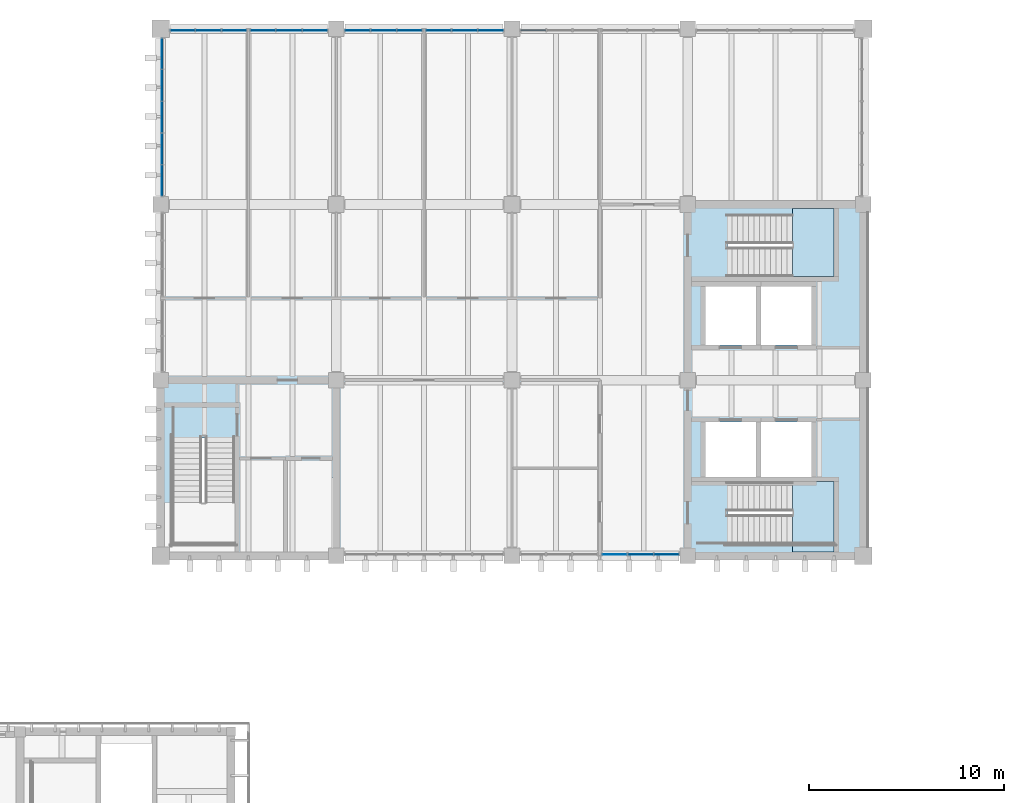
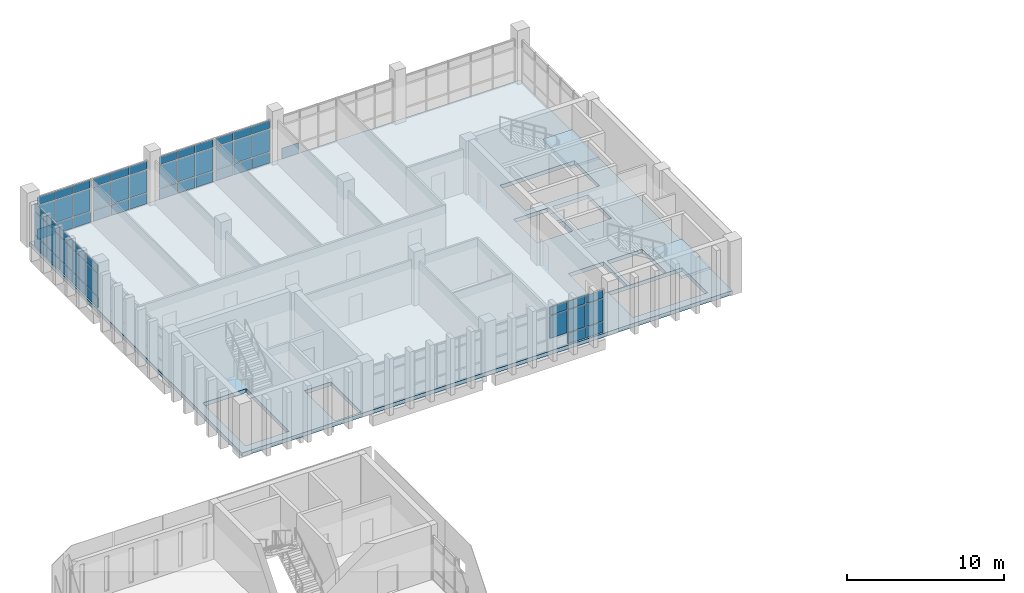
# One storey, part 27 of 50: 60 plates, 3 slabs, 9 elements without a shape of their own.
"""IFC4 building model written with IfcOpenShell, lengths in metres."""

from ifc_helpers import new_model, si_unit, direction, frame, origin, origin_2d, place, context, subcontext, project, spatial, polyline, rectangle, outline, extrude, material, layer, layer_set, type_object, element, aggregate, save


model = new_model("IFC4")

# Units and contexts
model_context = context("Model", 3, precision=1e-05, world=origin(), true_north=direction((0.0, 1.0)))
body_context = subcontext(model_context, "Body", "Model", "MODEL_VIEW")
ifc_project = project(units=[si_unit("LENGTHUNIT", "METRE"), si_unit("AREAUNIT", "SQUARE_METRE"), si_unit("VOLUMEUNIT", "CUBIC_METRE"), si_unit("PLANEANGLEUNIT", "RADIAN"), si_unit("MASSUNIT", "GRAM", prefix="KILO")], contexts=[model_context])

# Site, building, storey
site_placement = place(None, origin())
site = spatial("IfcSite", under=ifc_project, at=site_placement, CompositionType="ELEMENT")
building_placement = place(site_placement, origin())
building = spatial("IfcBuilding", under=site, at=building_placement, Name="Merrow Basin Faculty of Sciences", CompositionType="ELEMENT")
storey_placement = place(building_placement, frame((0.0, 0.0, 18.0)))
storey = spatial("IfcBuildingStorey", under=building, at=storey_placement, Name="L04", CompositionType="ELEMENT", Elevation=18.0)

# Slab
ifc_material_1 = material(Name="Concrete C40/50", Category="concrete")
ifc_layer_1 = layer(ifc_material_1, 0.300048828125)
ifc_layer_set_1 = layer_set([ifc_layer_1], Name="Floor slab 300 Concrete C40/50")
slab_type_1 = type_object("IfcSlabType", Name="Floor slab 300 Concrete C40/50", PredefinedType="FLOOR", material=ifc_layer_set_1)
slab_1_placement = place(storey_placement, frame((0.0, 0.0, -0.300048828125)))
element("IfcSlab", 1, at=slab_1_placement, inside=storey, type_object=slab_type_1, Name="SL11 floor L04 001", PredefinedType="FLOOR", context=body_context, shape_type="SweptSolid", body=[
    extrude(outline(polyline([(18.0, 169.0), (54.0, 169.0), (54.0, 142.0), (18.0, 142.0), (18.0, 169.0)]), holes=[polyline([(47.050048828125, 142.60009765625), (52.5, 142.60009765625), (52.5, 145.800048828125), (47.050048828125, 145.800048828125), (47.050048828125, 142.60009765625)]), polyline([(47.050048828125, 156.300048828125), (52.5, 156.300048828125), (52.5, 159.5), (47.050048828125, 159.5), (47.050048828125, 156.300048828125)]), polyline([(48.75, 145.85009765625), (51.35009765625, 145.85009765625), (51.35009765625, 148.85009765625), (48.75, 148.85009765625), (48.75, 145.85009765625)]), polyline([(48.75, 152.800048828125), (51.35009765625, 152.800048828125), (51.35009765625, 155.800048828125), (48.75, 155.800048828125), (48.75, 152.800048828125)]), polyline([(45.89990234375, 145.85009765625), (48.5, 145.85009765625), (48.5, 148.85009765625), (45.89990234375, 148.85009765625), (45.89990234375, 145.85009765625)]), polyline([(45.89990234375, 152.800048828125), (48.5, 152.800048828125), (48.5, 155.800048828125), (45.89990234375, 155.800048828125), (45.89990234375, 152.800048828125)]), polyline([(24.90087890625, 142.14990234375), (26.85009765625, 142.14990234375), (26.85009765625, 146.0), (24.90087890625, 146.0), (24.90087890625, 142.14990234375)]), polyline([(18.60009765625, 142.60009765625), (21.800048828125, 142.60009765625), (21.800048828125, 148.050048828125), (18.60009765625, 148.050048828125), (18.60009765625, 142.60009765625)])]), origin(), (0.0, 0.0, 1.0), 0.300048828125),
])

# Curtain wall, plates
ifc_material_2 = material(Name="Aluminium alloy 6063", Category="aluminium")
curtain_wall_type = type_object("IfcCurtainWallType", Name="Unitised curtain wall 160", PredefinedType="NOTDEFINED", material=ifc_material_2)
curtain_wall_1_placement = place(storey_placement, origin())
curtain_wall_1 = element("IfcCurtainWall", 2, at=curtain_wall_1_placement, inside=storey, type_object=curtain_wall_type, Name="W curtain wall L04 3", PredefinedType="NOTDEFINED")
ifc_material_3 = material(Name="Insulated aluminium spandrel panel", Category="aluminium")
ifc_layer_2 = layer(ifc_material_3, 0.052001953125)
ifc_layer_set_2 = layer_set([ifc_layer_2], Name="Insulated spandrel panel 52")
plate_type_1 = type_object("IfcPlateType", Name="Insulated spandrel panel 52", PredefinedType="CURTAIN_PANEL", material=ifc_layer_set_2)
plate_1_placement = place(storey_placement, frame((18.080078125, 161.22998046875, 0.06005859375), z_axis=(0.0, 0.0, 1.0), x_axis=(0.0, 1.0, 0.0)))
plate_1 = element("IfcPlate", 3, at=plate_1_placement, type_object=plate_type_1, Name="CW3 panel 1.1", PredefinedType="CURTAIN_PANEL", context=body_context, shape_type="SweptSolid", body=[
    extrude(rectangle(XDim=1.5400390625, YDim=0.052001953125, at=origin_2d()), origin(), (0.0, 0.0, 1.0), 0.81005859375),
])
plate_2_placement = place(storey_placement, frame((18.080078125, 162.844970703125, 0.06005859375), z_axis=(0.0, 0.0, 1.0), x_axis=(0.0, 1.0, 0.0)))
plate_2 = element("IfcPlate", 4, at=plate_2_placement, type_object=plate_type_1, Name="CW3 panel 2.1", PredefinedType="CURTAIN_PANEL", context=body_context, shape_type="SweptSolid", body=[
    extrude(rectangle(XDim=1.570068359375, YDim=0.052001953125, at=origin_2d()), origin(), (0.0, 0.0, 1.0), 0.81005859375),
])
plate_3_placement = place(storey_placement, frame((18.080078125, 164.47509765625, 0.06005859375), z_axis=(0.0, 0.0, 1.0), x_axis=(0.0, 1.0, 0.0)))
plate_3 = element("IfcPlate", 5, at=plate_3_placement, type_object=plate_type_1, Name="CW3 panel 3.1", PredefinedType="CURTAIN_PANEL", context=body_context, shape_type="SweptSolid", body=[
    extrude(rectangle(XDim=1.570068359375, YDim=0.052001953125, at=origin_2d()), origin(), (0.0, 0.0, 1.0), 0.81005859375),
])
plate_4_placement = place(storey_placement, frame((18.080078125, 166.10498046875, 0.06005859375), z_axis=(0.0, 0.0, 1.0), x_axis=(0.0, 1.0, 0.0)))
plate_4 = element("IfcPlate", 6, at=plate_4_placement, type_object=plate_type_1, Name="CW3 panel 4.1", PredefinedType="CURTAIN_PANEL", context=body_context, shape_type="SweptSolid", body=[
    extrude(rectangle(XDim=1.570068359375, YDim=0.052001953125, at=origin_2d()), origin(), (0.0, 0.0, 1.0), 0.81005859375),
])
plate_5_placement = place(storey_placement, frame((18.080078125, 167.719970703125, 0.06005859375), z_axis=(0.0, 0.0, 1.0), x_axis=(0.0, 1.0, 0.0)))
plate_5 = element("IfcPlate", 7, at=plate_5_placement, type_object=plate_type_1, Name="CW3 panel 5.1", PredefinedType="CURTAIN_PANEL", context=body_context, shape_type="SweptSolid", body=[
    extrude(rectangle(XDim=1.5400390625, YDim=0.052001953125, at=origin_2d()), origin(), (0.0, 0.0, 1.0), 0.81005859375),
])

curtain_wall_2_placement = place(storey_placement, origin())
curtain_wall_2 = element("IfcCurtainWall", 8, at=curtain_wall_2_placement, inside=storey, type_object=curtain_wall_type, Name="N curtain wall L04 1", PredefinedType="NOTDEFINED")
plate_6_placement = place(storey_placement, frame((19.131591796875, 168.919921875, 0.06005859375), z_axis=(0.0, 0.0, 1.0), x_axis=(1.0, 0.0, 0.0)))
plate_6 = element("IfcPlate", 9, at=plate_6_placement, type_object=plate_type_1, Name="CW3 panel 1.1", PredefinedType="CURTAIN_PANEL", context=body_context, shape_type="SweptSolid", body=[
    extrude(rectangle(XDim=1.243408203125, YDim=0.052001953125, at=origin_2d()), origin(), (0.0, 0.0, 1.0), 0.81005859375),
])
plate_7_placement = place(storey_placement, frame((20.449951171875, 168.919921875, 0.06005859375), z_axis=(0.0, 0.0, 1.0), x_axis=(1.0, 0.0, 0.0)))
plate_7 = element("IfcPlate", 10, at=plate_7_placement, type_object=plate_type_1, Name="CW3 panel 2.1", PredefinedType="CURTAIN_PANEL", context=body_context, shape_type="SweptSolid", body=[
    extrude(rectangle(XDim=1.2734375, YDim=0.052001953125, at=origin_2d()), origin(), (0.0, 0.0, 1.0), 0.81005859375),
])
plate_8_placement = place(storey_placement, frame((21.768310546875, 168.919921875, 0.06005859375), z_axis=(0.0, 0.0, 1.0), x_axis=(1.0, 0.0, 0.0)))
plate_8 = element("IfcPlate", 11, at=plate_8_placement, type_object=plate_type_1, Name="CW3 panel 3.1", PredefinedType="CURTAIN_PANEL", context=body_context, shape_type="SweptSolid", body=[
    extrude(rectangle(XDim=1.243408203125, YDim=0.052001953125, at=origin_2d()), origin(), (0.0, 0.0, 1.0), 0.81005859375),
])

curtain_wall_3_placement = place(storey_placement, origin())
curtain_wall_3 = element("IfcCurtainWall", 12, at=curtain_wall_3_placement, inside=storey, type_object=curtain_wall_type, Name="N curtain wall L04 2", PredefinedType="NOTDEFINED")
plate_9_placement = place(storey_placement, frame((23.239990234375, 168.919921875, 0.06005859375), z_axis=(0.0, 0.0, 1.0), x_axis=(1.0, 0.0, 0.0)))
plate_9 = element("IfcPlate", 13, at=plate_9_placement, type_object=plate_type_1, Name="CW3 panel 1.1", PredefinedType="CURTAIN_PANEL", context=body_context, shape_type="SweptSolid", body=[
    extrude(rectangle(XDim=1.260009765625, YDim=0.052001953125, at=origin_2d()), origin(), (0.0, 0.0, 1.0), 0.81005859375),
])
plate_10_placement = place(storey_placement, frame((24.574951171875, 168.919921875, 0.06005859375), z_axis=(0.0, 0.0, 1.0), x_axis=(1.0, 0.0, 0.0)))
plate_10 = element("IfcPlate", 14, at=plate_10_placement, type_object=plate_type_1, Name="CW3 panel 2.1", PredefinedType="CURTAIN_PANEL", context=body_context, shape_type="SweptSolid", body=[
    extrude(rectangle(XDim=1.2900390625, YDim=0.052001953125, at=origin_2d()), origin(), (0.0, 0.0, 1.0), 0.81005859375),
])
plate_11_placement = place(storey_placement, frame((25.909912109375, 168.919921875, 0.06005859375), z_axis=(0.0, 0.0, 1.0), x_axis=(1.0, 0.0, 0.0)))
plate_11 = element("IfcPlate", 15, at=plate_11_placement, type_object=plate_type_1, Name="CW3 panel 3.1", PredefinedType="CURTAIN_PANEL", context=body_context, shape_type="SweptSolid", body=[
    extrude(rectangle(XDim=1.260009765625, YDim=0.052001953125, at=origin_2d()), origin(), (0.0, 0.0, 1.0), 0.81005859375),
])

curtain_wall_4_placement = place(storey_placement, origin())
curtain_wall_4 = element("IfcCurtainWall", 16, at=curtain_wall_4_placement, inside=storey, type_object=curtain_wall_type, Name="N curtain wall L04 3", PredefinedType="NOTDEFINED")
plate_12_placement = place(storey_placement, frame((28.090087890625, 168.919921875, 0.06005859375), z_axis=(0.0, 0.0, 1.0), x_axis=(1.0, 0.0, 0.0)))
plate_12 = element("IfcPlate", 17, at=plate_12_placement, type_object=plate_type_1, Name="CW3 panel 1.1", PredefinedType="CURTAIN_PANEL", context=body_context, shape_type="SweptSolid", body=[
    extrude(rectangle(XDim=1.260009765625, YDim=0.052001953125, at=origin_2d()), origin(), (0.0, 0.0, 1.0), 0.81005859375),
])
plate_13_placement = place(storey_placement, frame((29.425048828125, 168.919921875, 0.06005859375), z_axis=(0.0, 0.0, 1.0), x_axis=(1.0, 0.0, 0.0)))
plate_13 = element("IfcPlate", 18, at=plate_13_placement, type_object=plate_type_1, Name="CW3 panel 2.1", PredefinedType="CURTAIN_PANEL", context=body_context, shape_type="SweptSolid", body=[
    extrude(rectangle(XDim=1.2900390625, YDim=0.052001953125, at=origin_2d()), origin(), (0.0, 0.0, 1.0), 0.81005859375),
])
plate_14_placement = place(storey_placement, frame((30.760009765625, 168.919921875, 0.06005859375), z_axis=(0.0, 0.0, 1.0), x_axis=(1.0, 0.0, 0.0)))
plate_14 = element("IfcPlate", 19, at=plate_14_placement, type_object=plate_type_1, Name="CW3 panel 3.1", PredefinedType="CURTAIN_PANEL", context=body_context, shape_type="SweptSolid", body=[
    extrude(rectangle(XDim=1.260009765625, YDim=0.052001953125, at=origin_2d()), origin(), (0.0, 0.0, 1.0), 0.81005859375),
])

curtain_wall_5_placement = place(storey_placement, origin())
curtain_wall_5 = element("IfcCurtainWall", 20, at=curtain_wall_5_placement, inside=storey, type_object=curtain_wall_type, Name="N curtain wall L04 4", PredefinedType="NOTDEFINED")
plate_15_placement = place(storey_placement, frame((32.239990234375, 168.919921875, 0.06005859375), z_axis=(0.0, 0.0, 1.0), x_axis=(1.0, 0.0, 0.0)))
plate_15 = element("IfcPlate", 21, at=plate_15_placement, type_object=plate_type_1, Name="CW3 panel 1.1", PredefinedType="CURTAIN_PANEL", context=body_context, shape_type="SweptSolid", body=[
    extrude(rectangle(XDim=1.260009765625, YDim=0.052001953125, at=origin_2d()), origin(), (0.0, 0.0, 1.0), 0.81005859375),
])
plate_16_placement = place(storey_placement, frame((33.574951171875, 168.919921875, 0.06005859375), z_axis=(0.0, 0.0, 1.0), x_axis=(1.0, 0.0, 0.0)))
plate_16 = element("IfcPlate", 22, at=plate_16_placement, type_object=plate_type_1, Name="CW3 panel 2.1", PredefinedType="CURTAIN_PANEL", context=body_context, shape_type="SweptSolid", body=[
    extrude(rectangle(XDim=1.2900390625, YDim=0.052001953125, at=origin_2d()), origin(), (0.0, 0.0, 1.0), 0.81005859375),
])
plate_17_placement = place(storey_placement, frame((34.909912109375, 168.919921875, 0.06005859375), z_axis=(0.0, 0.0, 1.0), x_axis=(1.0, 0.0, 0.0)))
plate_17 = element("IfcPlate", 23, at=plate_17_placement, type_object=plate_type_1, Name="CW3 panel 3.1", PredefinedType="CURTAIN_PANEL", context=body_context, shape_type="SweptSolid", body=[
    extrude(rectangle(XDim=1.260009765625, YDim=0.052001953125, at=origin_2d()), origin(), (0.0, 0.0, 1.0), 0.81005859375),
])

# Curtain wall, plate
curtain_wall_6_placement = place(storey_placement, origin())
curtain_wall_6 = element("IfcCurtainWall", 24, at=curtain_wall_6_placement, inside=storey, type_object=curtain_wall_type, Name="N curtain wall L04 5", PredefinedType="NOTDEFINED")
plate_18_placement = place(storey_placement, frame((37.090087890625, 168.919921875, 0.06005859375), z_axis=(0.0, 0.0, 1.0), x_axis=(1.0, 0.0, 0.0)))
plate_18 = element("IfcPlate", 25, at=plate_18_placement, type_object=plate_type_1, Name="CW3 panel 1.1", PredefinedType="CURTAIN_PANEL", context=body_context, shape_type="SweptSolid", body=[
    extrude(rectangle(XDim=1.260009765625, YDim=0.052001953125, at=origin_2d()), origin(), (0.0, 0.0, 1.0), 0.81005859375),
])
aggregate(curtain_wall_6, [plate_18])

# Curtain wall, plates
curtain_wall_7_placement = place(storey_placement, origin())
curtain_wall_7 = element("IfcCurtainWall", 26, at=curtain_wall_7_placement, inside=storey, type_object=curtain_wall_type, Name="S curtain wall L04 3", PredefinedType="NOTDEFINED")
plate_19_placement = place(storey_placement, frame((42.58740234375, 142.080078125, 0.06005859375), z_axis=(0.0, 0.0, 1.0), x_axis=(1.0, 0.0, 0.0)))
plate_19 = element("IfcPlate", 27, at=plate_19_placement, type_object=plate_type_1, Name="CW3 panel 2.1", PredefinedType="CURTAIN_PANEL", context=body_context, shape_type="SweptSolid", body=[
    extrude(rectangle(XDim=1.28173828125, YDim=0.052001953125, at=origin_2d()), origin(), (0.0, 0.0, 1.0), 0.81005859375),
])
plate_20_placement = place(storey_placement, frame((43.9140625, 142.080078125, 0.06005859375), z_axis=(0.0, 0.0, 1.0), x_axis=(1.0, 0.0, 0.0)))
plate_20 = element("IfcPlate", 28, at=plate_20_placement, type_object=plate_type_1, Name="CW3 panel 3.1", PredefinedType="CURTAIN_PANEL", context=body_context, shape_type="SweptSolid", body=[
    extrude(rectangle(XDim=1.251708984375, YDim=0.052001953125, at=origin_2d()), origin(), (0.0, 0.0, 1.0), 0.81005859375),
])

# Plate
ifc_material_4 = material(Name="Low-E double glazing", Category="glass")
ifc_layer_3 = layer(ifc_material_4, 0.028076171875)
ifc_layer_set_3 = layer_set([ifc_layer_3], Name="Low-E double glazed panel 28")
plate_type_2 = type_object("IfcPlateType", Name="Low-E double glazed panel 28", PredefinedType="CURTAIN_PANEL", material=ifc_layer_set_3)
plate_21_placement = place(storey_placement, frame((18.080078125, 161.22998046875, 0.93017578125), z_axis=(0.0, 0.0, 1.0), x_axis=(0.0, 1.0, 0.0)))
plate_21 = element("IfcPlate", 29, at=plate_21_placement, type_object=plate_type_2, Name="CW3 panel 1.2", PredefinedType="CURTAIN_PANEL", context=body_context, shape_type="SweptSolid", body=[
    extrude(rectangle(XDim=1.5400390625, YDim=0.028076171875, at=origin_2d()), origin(), (0.0, 0.0, 1.0), 1.739990234375),
])

plate_22_placement = place(storey_placement, frame((18.080078125, 161.22998046875, 2.72998046875), z_axis=(0.0, 0.0, 1.0), x_axis=(0.0, 1.0, 0.0)))
plate_22 = element("IfcPlate", 30, at=plate_22_placement, type_object=plate_type_2, Name="CW3 panel 1.3", PredefinedType="CURTAIN_PANEL", context=body_context, shape_type="SweptSolid", body=[
    extrude(rectangle(XDim=1.5400390625, YDim=0.028076171875, at=origin_2d()), origin(), (0.0, 0.0, 1.0), 0.610107421875),
])

plate_23_placement = place(storey_placement, frame((18.080078125, 162.844970703125, 0.93017578125), z_axis=(0.0, 0.0, 1.0), x_axis=(0.0, 1.0, 0.0)))
plate_23 = element("IfcPlate", 31, at=plate_23_placement, type_object=plate_type_2, Name="CW3 panel 2.2", PredefinedType="CURTAIN_PANEL", context=body_context, shape_type="SweptSolid", body=[
    extrude(rectangle(XDim=1.570068359375, YDim=0.028076171875, at=origin_2d()), origin(), (0.0, 0.0, 1.0), 1.739990234375),
])

plate_24_placement = place(storey_placement, frame((18.080078125, 162.844970703125, 2.72998046875), z_axis=(0.0, 0.0, 1.0), x_axis=(0.0, 1.0, 0.0)))
plate_24 = element("IfcPlate", 32, at=plate_24_placement, type_object=plate_type_2, Name="CW3 panel 2.3", PredefinedType="CURTAIN_PANEL", context=body_context, shape_type="SweptSolid", body=[
    extrude(rectangle(XDim=1.570068359375, YDim=0.028076171875, at=origin_2d()), origin(), (0.0, 0.0, 1.0), 0.610107421875),
])

plate_25_placement = place(storey_placement, frame((18.080078125, 164.47509765625, 0.93017578125), z_axis=(0.0, 0.0, 1.0), x_axis=(0.0, 1.0, 0.0)))
plate_25 = element("IfcPlate", 33, at=plate_25_placement, type_object=plate_type_2, Name="CW3 panel 3.2", PredefinedType="CURTAIN_PANEL", context=body_context, shape_type="SweptSolid", body=[
    extrude(rectangle(XDim=1.570068359375, YDim=0.028076171875, at=origin_2d()), origin(), (0.0, 0.0, 1.0), 1.739990234375),
])

plate_26_placement = place(storey_placement, frame((18.080078125, 164.47509765625, 2.72998046875), z_axis=(0.0, 0.0, 1.0), x_axis=(0.0, 1.0, 0.0)))
plate_26 = element("IfcPlate", 34, at=plate_26_placement, type_object=plate_type_2, Name="CW3 panel 3.3", PredefinedType="CURTAIN_PANEL", context=body_context, shape_type="SweptSolid", body=[
    extrude(rectangle(XDim=1.570068359375, YDim=0.028076171875, at=origin_2d()), origin(), (0.0, 0.0, 1.0), 0.610107421875),
])

plate_27_placement = place(storey_placement, frame((18.080078125, 166.10498046875, 0.93017578125), z_axis=(0.0, 0.0, 1.0), x_axis=(0.0, 1.0, 0.0)))
plate_27 = element("IfcPlate", 35, at=plate_27_placement, type_object=plate_type_2, Name="CW3 panel 4.2", PredefinedType="CURTAIN_PANEL", context=body_context, shape_type="SweptSolid", body=[
    extrude(rectangle(XDim=1.570068359375, YDim=0.028076171875, at=origin_2d()), origin(), (0.0, 0.0, 1.0), 1.739990234375),
])

plate_28_placement = place(storey_placement, frame((18.080078125, 166.10498046875, 2.72998046875), z_axis=(0.0, 0.0, 1.0), x_axis=(0.0, 1.0, 0.0)))
plate_28 = element("IfcPlate", 36, at=plate_28_placement, type_object=plate_type_2, Name="CW3 panel 4.3", PredefinedType="CURTAIN_PANEL", context=body_context, shape_type="SweptSolid", body=[
    extrude(rectangle(XDim=1.570068359375, YDim=0.028076171875, at=origin_2d()), origin(), (0.0, 0.0, 1.0), 0.610107421875),
])

plate_29_placement = place(storey_placement, frame((18.080078125, 167.719970703125, 0.93017578125), z_axis=(0.0, 0.0, 1.0), x_axis=(0.0, 1.0, 0.0)))
plate_29 = element("IfcPlate", 37, at=plate_29_placement, type_object=plate_type_2, Name="CW3 panel 5.2", PredefinedType="CURTAIN_PANEL", context=body_context, shape_type="SweptSolid", body=[
    extrude(rectangle(XDim=1.5400390625, YDim=0.028076171875, at=origin_2d()), origin(), (0.0, 0.0, 1.0), 1.739990234375),
])

plate_30_placement = place(storey_placement, frame((18.080078125, 167.719970703125, 2.72998046875), z_axis=(0.0, 0.0, 1.0), x_axis=(0.0, 1.0, 0.0)))
plate_30 = element("IfcPlate", 38, at=plate_30_placement, type_object=plate_type_2, Name="CW3 panel 5.3", PredefinedType="CURTAIN_PANEL", context=body_context, shape_type="SweptSolid", body=[
    extrude(rectangle(XDim=1.5400390625, YDim=0.028076171875, at=origin_2d()), origin(), (0.0, 0.0, 1.0), 0.610107421875),
])

aggregate(curtain_wall_1, [plate_1, plate_21, plate_22, plate_2, plate_23, plate_24, plate_3, plate_25, plate_26, plate_4, plate_27, plate_28, plate_5, plate_29, plate_30])

plate_31_placement = place(storey_placement, frame((19.131591796875, 168.919921875, 0.93017578125), z_axis=(0.0, 0.0, 1.0), x_axis=(1.0, 0.0, 0.0)))
plate_31 = element("IfcPlate", 39, at=plate_31_placement, type_object=plate_type_2, Name="CW3 panel 1.2", PredefinedType="CURTAIN_PANEL", context=body_context, shape_type="SweptSolid", body=[
    extrude(rectangle(XDim=1.243408203125, YDim=0.028076171875, at=origin_2d()), origin(), (0.0, 0.0, 1.0), 1.739990234375),
])

plate_32_placement = place(storey_placement, frame((19.131591796875, 168.919921875, 2.72998046875), z_axis=(0.0, 0.0, 1.0), x_axis=(1.0, 0.0, 0.0)))
plate_32 = element("IfcPlate", 40, at=plate_32_placement, type_object=plate_type_2, Name="CW3 panel 1.3", PredefinedType="CURTAIN_PANEL", context=body_context, shape_type="SweptSolid", body=[
    extrude(rectangle(XDim=1.243408203125, YDim=0.028076171875, at=origin_2d()), origin(), (0.0, 0.0, 1.0), 0.610107421875),
])

plate_33_placement = place(storey_placement, frame((20.449951171875, 168.919921875, 0.93017578125), z_axis=(0.0, 0.0, 1.0), x_axis=(1.0, 0.0, 0.0)))
plate_33 = element("IfcPlate", 41, at=plate_33_placement, type_object=plate_type_2, Name="CW3 panel 2.2", PredefinedType="CURTAIN_PANEL", context=body_context, shape_type="SweptSolid", body=[
    extrude(rectangle(XDim=1.2734375, YDim=0.028076171875, at=origin_2d()), origin(), (0.0, 0.0, 1.0), 1.739990234375),
])

plate_34_placement = place(storey_placement, frame((20.449951171875, 168.919921875, 2.72998046875), z_axis=(0.0, 0.0, 1.0), x_axis=(1.0, 0.0, 0.0)))
plate_34 = element("IfcPlate", 42, at=plate_34_placement, type_object=plate_type_2, Name="CW3 panel 2.3", PredefinedType="CURTAIN_PANEL", context=body_context, shape_type="SweptSolid", body=[
    extrude(rectangle(XDim=1.2734375, YDim=0.028076171875, at=origin_2d()), origin(), (0.0, 0.0, 1.0), 0.610107421875),
])

plate_35_placement = place(storey_placement, frame((21.768310546875, 168.919921875, 0.93017578125), z_axis=(0.0, 0.0, 1.0), x_axis=(1.0, 0.0, 0.0)))
plate_35 = element("IfcPlate", 43, at=plate_35_placement, type_object=plate_type_2, Name="CW3 panel 3.2", PredefinedType="CURTAIN_PANEL", context=body_context, shape_type="SweptSolid", body=[
    extrude(rectangle(XDim=1.243408203125, YDim=0.028076171875, at=origin_2d()), origin(), (0.0, 0.0, 1.0), 1.739990234375),
])

plate_36_placement = place(storey_placement, frame((21.768310546875, 168.919921875, 2.72998046875), z_axis=(0.0, 0.0, 1.0), x_axis=(1.0, 0.0, 0.0)))
plate_36 = element("IfcPlate", 44, at=plate_36_placement, type_object=plate_type_2, Name="CW3 panel 3.3", PredefinedType="CURTAIN_PANEL", context=body_context, shape_type="SweptSolid", body=[
    extrude(rectangle(XDim=1.243408203125, YDim=0.028076171875, at=origin_2d()), origin(), (0.0, 0.0, 1.0), 0.610107421875),
])

aggregate(curtain_wall_2, [plate_6, plate_31, plate_32, plate_7, plate_33, plate_34, plate_8, plate_35, plate_36])

plate_37_placement = place(storey_placement, frame((23.239990234375, 168.919921875, 0.93017578125), z_axis=(0.0, 0.0, 1.0), x_axis=(1.0, 0.0, 0.0)))
plate_37 = element("IfcPlate", 45, at=plate_37_placement, type_object=plate_type_2, Name="CW3 panel 1.2", PredefinedType="CURTAIN_PANEL", context=body_context, shape_type="SweptSolid", body=[
    extrude(rectangle(XDim=1.260009765625, YDim=0.028076171875, at=origin_2d()), origin(), (0.0, 0.0, 1.0), 1.739990234375),
])

plate_38_placement = place(storey_placement, frame((23.239990234375, 168.919921875, 2.72998046875), z_axis=(0.0, 0.0, 1.0), x_axis=(1.0, 0.0, 0.0)))
plate_38 = element("IfcPlate", 46, at=plate_38_placement, type_object=plate_type_2, Name="CW3 panel 1.3", PredefinedType="CURTAIN_PANEL", context=body_context, shape_type="SweptSolid", body=[
    extrude(rectangle(XDim=1.260009765625, YDim=0.028076171875, at=origin_2d()), origin(), (0.0, 0.0, 1.0), 0.610107421875),
])

plate_39_placement = place(storey_placement, frame((24.574951171875, 168.919921875, 0.93017578125), z_axis=(0.0, 0.0, 1.0), x_axis=(1.0, 0.0, 0.0)))
plate_39 = element("IfcPlate", 47, at=plate_39_placement, type_object=plate_type_2, Name="CW3 panel 2.2", PredefinedType="CURTAIN_PANEL", context=body_context, shape_type="SweptSolid", body=[
    extrude(rectangle(XDim=1.2900390625, YDim=0.028076171875, at=origin_2d()), origin(), (0.0, 0.0, 1.0), 1.739990234375),
])

plate_40_placement = place(storey_placement, frame((24.574951171875, 168.919921875, 2.72998046875), z_axis=(0.0, 0.0, 1.0), x_axis=(1.0, 0.0, 0.0)))
plate_40 = element("IfcPlate", 48, at=plate_40_placement, type_object=plate_type_2, Name="CW3 panel 2.3", PredefinedType="CURTAIN_PANEL", context=body_context, shape_type="SweptSolid", body=[
    extrude(rectangle(XDim=1.2900390625, YDim=0.028076171875, at=origin_2d()), origin(), (0.0, 0.0, 1.0), 0.610107421875),
])

plate_41_placement = place(storey_placement, frame((25.909912109375, 168.919921875, 0.93017578125), z_axis=(0.0, 0.0, 1.0), x_axis=(1.0, 0.0, 0.0)))
plate_41 = element("IfcPlate", 49, at=plate_41_placement, type_object=plate_type_2, Name="CW3 panel 3.2", PredefinedType="CURTAIN_PANEL", context=body_context, shape_type="SweptSolid", body=[
    extrude(rectangle(XDim=1.260009765625, YDim=0.028076171875, at=origin_2d()), origin(), (0.0, 0.0, 1.0), 1.739990234375),
])

plate_42_placement = place(storey_placement, frame((25.909912109375, 168.919921875, 2.72998046875), z_axis=(0.0, 0.0, 1.0), x_axis=(1.0, 0.0, 0.0)))
plate_42 = element("IfcPlate", 50, at=plate_42_placement, type_object=plate_type_2, Name="CW3 panel 3.3", PredefinedType="CURTAIN_PANEL", context=body_context, shape_type="SweptSolid", body=[
    extrude(rectangle(XDim=1.260009765625, YDim=0.028076171875, at=origin_2d()), origin(), (0.0, 0.0, 1.0), 0.610107421875),
])

aggregate(curtain_wall_3, [plate_9, plate_37, plate_38, plate_10, plate_39, plate_40, plate_11, plate_41, plate_42])

plate_43_placement = place(storey_placement, frame((28.090087890625, 168.919921875, 0.93017578125), z_axis=(0.0, 0.0, 1.0), x_axis=(1.0, 0.0, 0.0)))
plate_43 = element("IfcPlate", 51, at=plate_43_placement, type_object=plate_type_2, Name="CW3 panel 1.2", PredefinedType="CURTAIN_PANEL", context=body_context, shape_type="SweptSolid", body=[
    extrude(rectangle(XDim=1.260009765625, YDim=0.028076171875, at=origin_2d()), origin(), (0.0, 0.0, 1.0), 1.739990234375),
])

plate_44_placement = place(storey_placement, frame((28.090087890625, 168.919921875, 2.72998046875), z_axis=(0.0, 0.0, 1.0), x_axis=(1.0, 0.0, 0.0)))
plate_44 = element("IfcPlate", 52, at=plate_44_placement, type_object=plate_type_2, Name="CW3 panel 1.3", PredefinedType="CURTAIN_PANEL", context=body_context, shape_type="SweptSolid", body=[
    extrude(rectangle(XDim=1.260009765625, YDim=0.028076171875, at=origin_2d()), origin(), (0.0, 0.0, 1.0), 0.610107421875),
])

plate_45_placement = place(storey_placement, frame((29.425048828125, 168.919921875, 0.93017578125), z_axis=(0.0, 0.0, 1.0), x_axis=(1.0, 0.0, 0.0)))
plate_45 = element("IfcPlate", 53, at=plate_45_placement, type_object=plate_type_2, Name="CW3 panel 2.2", PredefinedType="CURTAIN_PANEL", context=body_context, shape_type="SweptSolid", body=[
    extrude(rectangle(XDim=1.2900390625, YDim=0.028076171875, at=origin_2d()), origin(), (0.0, 0.0, 1.0), 1.739990234375),
])

plate_46_placement = place(storey_placement, frame((29.425048828125, 168.919921875, 2.72998046875), z_axis=(0.0, 0.0, 1.0), x_axis=(1.0, 0.0, 0.0)))
plate_46 = element("IfcPlate", 54, at=plate_46_placement, type_object=plate_type_2, Name="CW3 panel 2.3", PredefinedType="CURTAIN_PANEL", context=body_context, shape_type="SweptSolid", body=[
    extrude(rectangle(XDim=1.2900390625, YDim=0.028076171875, at=origin_2d()), origin(), (0.0, 0.0, 1.0), 0.610107421875),
])

plate_47_placement = place(storey_placement, frame((30.760009765625, 168.919921875, 0.93017578125), z_axis=(0.0, 0.0, 1.0), x_axis=(1.0, 0.0, 0.0)))
plate_47 = element("IfcPlate", 55, at=plate_47_placement, type_object=plate_type_2, Name="CW3 panel 3.2", PredefinedType="CURTAIN_PANEL", context=body_context, shape_type="SweptSolid", body=[
    extrude(rectangle(XDim=1.260009765625, YDim=0.028076171875, at=origin_2d()), origin(), (0.0, 0.0, 1.0), 1.739990234375),
])

plate_48_placement = place(storey_placement, frame((30.760009765625, 168.919921875, 2.72998046875), z_axis=(0.0, 0.0, 1.0), x_axis=(1.0, 0.0, 0.0)))
plate_48 = element("IfcPlate", 56, at=plate_48_placement, type_object=plate_type_2, Name="CW3 panel 3.3", PredefinedType="CURTAIN_PANEL", context=body_context, shape_type="SweptSolid", body=[
    extrude(rectangle(XDim=1.260009765625, YDim=0.028076171875, at=origin_2d()), origin(), (0.0, 0.0, 1.0), 0.610107421875),
])

aggregate(curtain_wall_4, [plate_12, plate_43, plate_44, plate_13, plate_45, plate_46, plate_14, plate_47, plate_48])

plate_49_placement = place(storey_placement, frame((32.239990234375, 168.919921875, 0.93017578125), z_axis=(0.0, 0.0, 1.0), x_axis=(1.0, 0.0, 0.0)))
plate_49 = element("IfcPlate", 57, at=plate_49_placement, type_object=plate_type_2, Name="CW3 panel 1.2", PredefinedType="CURTAIN_PANEL", context=body_context, shape_type="SweptSolid", body=[
    extrude(rectangle(XDim=1.260009765625, YDim=0.028076171875, at=origin_2d()), origin(), (0.0, 0.0, 1.0), 1.739990234375),
])

plate_50_placement = place(storey_placement, frame((32.239990234375, 168.919921875, 2.72998046875), z_axis=(0.0, 0.0, 1.0), x_axis=(1.0, 0.0, 0.0)))
plate_50 = element("IfcPlate", 58, at=plate_50_placement, type_object=plate_type_2, Name="CW3 panel 1.3", PredefinedType="CURTAIN_PANEL", context=body_context, shape_type="SweptSolid", body=[
    extrude(rectangle(XDim=1.260009765625, YDim=0.028076171875, at=origin_2d()), origin(), (0.0, 0.0, 1.0), 0.610107421875),
])

plate_51_placement = place(storey_placement, frame((33.574951171875, 168.919921875, 0.93017578125), z_axis=(0.0, 0.0, 1.0), x_axis=(1.0, 0.0, 0.0)))
plate_51 = element("IfcPlate", 59, at=plate_51_placement, type_object=plate_type_2, Name="CW3 panel 2.2", PredefinedType="CURTAIN_PANEL", context=body_context, shape_type="SweptSolid", body=[
    extrude(rectangle(XDim=1.2900390625, YDim=0.028076171875, at=origin_2d()), origin(), (0.0, 0.0, 1.0), 1.739990234375),
])

plate_52_placement = place(storey_placement, frame((33.574951171875, 168.919921875, 2.72998046875), z_axis=(0.0, 0.0, 1.0), x_axis=(1.0, 0.0, 0.0)))
plate_52 = element("IfcPlate", 60, at=plate_52_placement, type_object=plate_type_2, Name="CW3 panel 2.3", PredefinedType="CURTAIN_PANEL", context=body_context, shape_type="SweptSolid", body=[
    extrude(rectangle(XDim=1.2900390625, YDim=0.028076171875, at=origin_2d()), origin(), (0.0, 0.0, 1.0), 0.610107421875),
])

plate_53_placement = place(storey_placement, frame((34.909912109375, 168.919921875, 0.93017578125), z_axis=(0.0, 0.0, 1.0), x_axis=(1.0, 0.0, 0.0)))
plate_53 = element("IfcPlate", 61, at=plate_53_placement, type_object=plate_type_2, Name="CW3 panel 3.2", PredefinedType="CURTAIN_PANEL", context=body_context, shape_type="SweptSolid", body=[
    extrude(rectangle(XDim=1.260009765625, YDim=0.028076171875, at=origin_2d()), origin(), (0.0, 0.0, 1.0), 1.739990234375),
])

plate_54_placement = place(storey_placement, frame((34.909912109375, 168.919921875, 2.72998046875), z_axis=(0.0, 0.0, 1.0), x_axis=(1.0, 0.0, 0.0)))
plate_54 = element("IfcPlate", 62, at=plate_54_placement, type_object=plate_type_2, Name="CW3 panel 3.3", PredefinedType="CURTAIN_PANEL", context=body_context, shape_type="SweptSolid", body=[
    extrude(rectangle(XDim=1.260009765625, YDim=0.028076171875, at=origin_2d()), origin(), (0.0, 0.0, 1.0), 0.610107421875),
])

aggregate(curtain_wall_5, [plate_15, plate_49, plate_50, plate_16, plate_51, plate_52, plate_17, plate_53, plate_54])

plate_55_placement = place(storey_placement, frame((41.2607421875, 142.080078125, 0.93017578125), z_axis=(0.0, 0.0, 1.0), x_axis=(1.0, 0.0, 0.0)))
plate_55 = element("IfcPlate", 63, at=plate_55_placement, type_object=plate_type_2, Name="CW3 panel 1.2", PredefinedType="CURTAIN_PANEL", context=body_context, shape_type="SweptSolid", body=[
    extrude(rectangle(XDim=1.251708984375, YDim=0.028076171875, at=origin_2d()), origin(), (0.0, 0.0, 1.0), 1.739990234375),
])

plate_56_placement = place(storey_placement, frame((41.2607421875, 142.080078125, 2.72998046875), z_axis=(0.0, 0.0, 1.0), x_axis=(1.0, 0.0, 0.0)))
plate_56 = element("IfcPlate", 64, at=plate_56_placement, type_object=plate_type_2, Name="CW3 panel 1.3", PredefinedType="CURTAIN_PANEL", context=body_context, shape_type="SweptSolid", body=[
    extrude(rectangle(XDim=1.251708984375, YDim=0.028076171875, at=origin_2d()), origin(), (0.0, 0.0, 1.0), 0.610107421875),
])

plate_57_placement = place(storey_placement, frame((42.58740234375, 142.080078125, 0.93017578125), z_axis=(0.0, 0.0, 1.0), x_axis=(1.0, 0.0, 0.0)))
plate_57 = element("IfcPlate", 65, at=plate_57_placement, type_object=plate_type_2, Name="CW3 panel 2.2", PredefinedType="CURTAIN_PANEL", context=body_context, shape_type="SweptSolid", body=[
    extrude(rectangle(XDim=1.28173828125, YDim=0.028076171875, at=origin_2d()), origin(), (0.0, 0.0, 1.0), 1.739990234375),
])

plate_58_placement = place(storey_placement, frame((42.58740234375, 142.080078125, 2.72998046875), z_axis=(0.0, 0.0, 1.0), x_axis=(1.0, 0.0, 0.0)))
plate_58 = element("IfcPlate", 66, at=plate_58_placement, type_object=plate_type_2, Name="CW3 panel 2.3", PredefinedType="CURTAIN_PANEL", context=body_context, shape_type="SweptSolid", body=[
    extrude(rectangle(XDim=1.28173828125, YDim=0.028076171875, at=origin_2d()), origin(), (0.0, 0.0, 1.0), 0.610107421875),
])

plate_59_placement = place(storey_placement, frame((43.9140625, 142.080078125, 0.93017578125), z_axis=(0.0, 0.0, 1.0), x_axis=(1.0, 0.0, 0.0)))
plate_59 = element("IfcPlate", 67, at=plate_59_placement, type_object=plate_type_2, Name="CW3 panel 3.2", PredefinedType="CURTAIN_PANEL", context=body_context, shape_type="SweptSolid", body=[
    extrude(rectangle(XDim=1.251708984375, YDim=0.028076171875, at=origin_2d()), origin(), (0.0, 0.0, 1.0), 1.739990234375),
])

plate_60_placement = place(storey_placement, frame((43.9140625, 142.080078125, 2.72998046875), z_axis=(0.0, 0.0, 1.0), x_axis=(1.0, 0.0, 0.0)))
plate_60 = element("IfcPlate", 68, at=plate_60_placement, type_object=plate_type_2, Name="CW3 panel 3.3", PredefinedType="CURTAIN_PANEL", context=body_context, shape_type="SweptSolid", body=[
    extrude(rectangle(XDim=1.251708984375, YDim=0.028076171875, at=origin_2d()), origin(), (0.0, 0.0, 1.0), 0.610107421875),
])

aggregate(curtain_wall_7, [plate_55, plate_56, plate_19, plate_57, plate_58, plate_20, plate_59, plate_60])

# Stair, slab
ifc_material_5 = material(Name="Concrete C40/50", Category="concrete")
stair_type = type_object("IfcStairType", Name="Concrete dog-leg stair Concrete C40/50", PredefinedType="HALF_TURN_STAIR", material=ifc_material_5)
stair_1_placement = place(storey_placement, origin())
stair_1 = element("IfcStair", 69, at=stair_1_placement, inside=storey, type_object=stair_type, Name="L04 Exit stair S", PredefinedType="HALF_TURN_STAIR")
ifc_material_6 = material(Name="Concrete C40/50", Category="concrete")
ifc_layer_4 = layer(ifc_material_6, 0.199951171875)
ifc_layer_set_4 = layer_set([ifc_layer_4], Name="Stair landing 200 Concrete C40/50")
slab_type_2 = type_object("IfcSlabType", Name="Stair landing 200 Concrete C40/50", PredefinedType="LANDING", material=ifc_layer_set_4)
slab_2_placement = place(storey_placement, frame((0.0, 0.0, 2.050048828125)))
slab_2 = element("IfcSlab", 70, at=slab_2_placement, type_object=slab_type_2, Name="ST-V5-S landing 1", PredefinedType="LANDING", context=body_context, shape_type="SweptSolid", body=[
    extrude(outline(polyline([(50.360107421875, 156.300048828125), (52.5, 156.300048828125), (52.5, 159.800048828125), (50.360107421875, 159.800048828125), (50.360107421875, 156.300048828125)])), origin(), (0.0, 0.0, 1.0), 0.199951171875),
])
aggregate(stair_1, [slab_2])

stair_2_placement = place(storey_placement, origin())
stair_2 = element("IfcStair", 71, at=stair_2_placement, inside=storey, type_object=stair_type, Name="L04 Exit stair N", PredefinedType="HALF_TURN_STAIR")
slab_3_placement = place(storey_placement, frame((0.0, 0.0, 2.050048828125)))
slab_3 = element("IfcSlab", 72, at=slab_3_placement, type_object=slab_type_2, Name="ST-V5-N landing 1", PredefinedType="LANDING", context=body_context, shape_type="SweptSolid", body=[
    extrude(outline(polyline([(50.360107421875, 142.199951171875), (52.5, 142.199951171875), (52.5, 145.800048828125), (50.360107421875, 145.800048828125), (50.360107421875, 142.199951171875)])), origin(), (0.0, 0.0, 1.0), 0.199951171875),
])
aggregate(stair_2, [slab_3])

save(model, "model.ifc")
